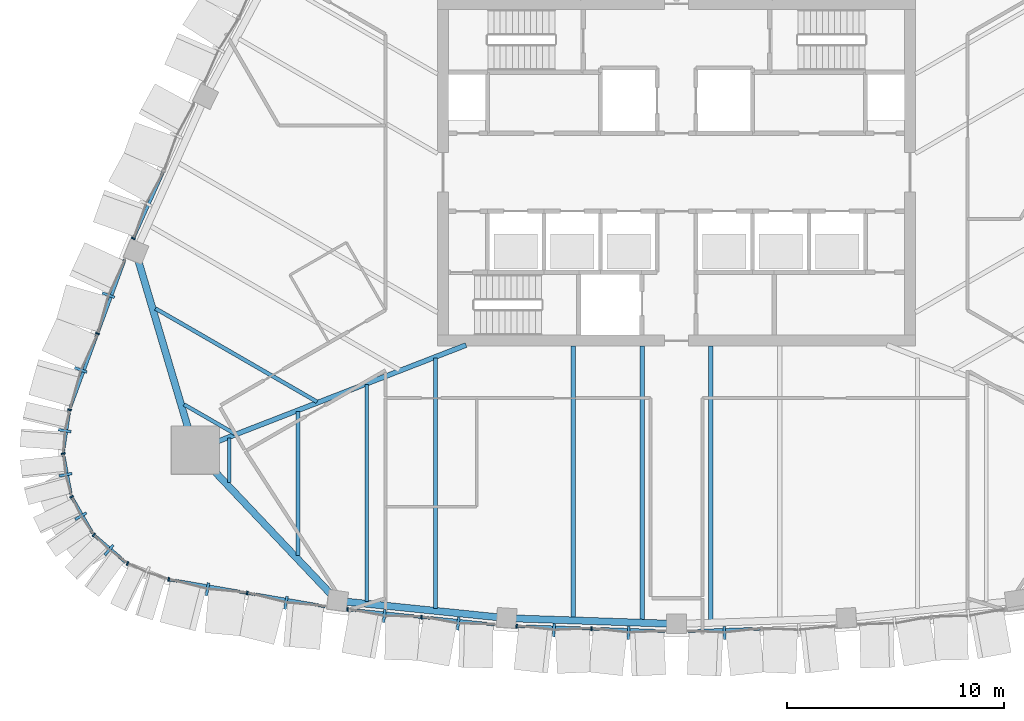
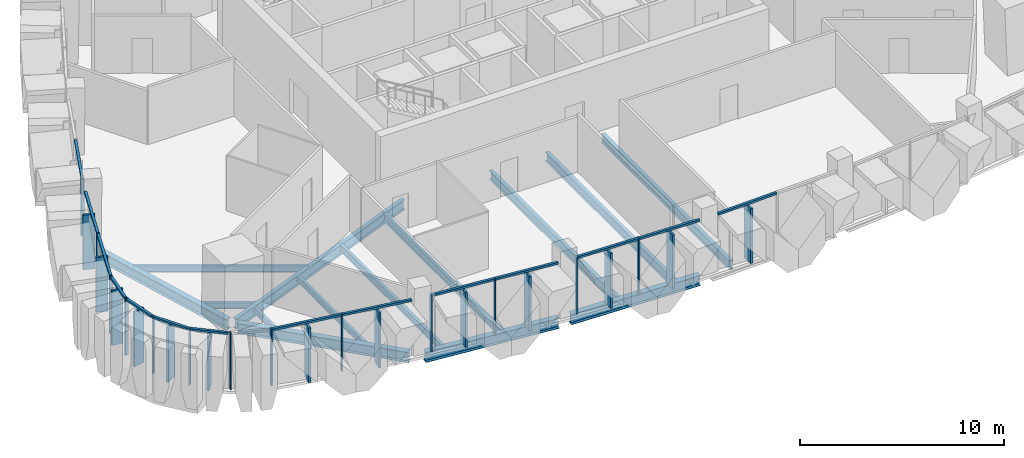
# One storey, part 2 of 19: 40 members, 14 beams, 11 elements without a shape of their own.
"""IFC4 building model written with IfcOpenShell, lengths in metres."""

from ifc_helpers import new_model, si_unit, direction, frame, origin, origin_2d, place, context, subcontext, project, spatial, rectangle, i_section, extrude, material, layer, layer_set, material_profile, profile_set, type_object, element, aggregate, save


model = new_model("IFC4")

# Units and contexts
model_context = context("Model", 3, precision=1e-05, world=origin(), true_north=direction((0.0, 1.0)))
body_context = subcontext(model_context, "Body", "Model", "MODEL_VIEW")
ifc_project = project(units=[si_unit("LENGTHUNIT", "METRE"), si_unit("AREAUNIT", "SQUARE_METRE"), si_unit("VOLUMEUNIT", "CUBIC_METRE"), si_unit("PLANEANGLEUNIT", "RADIAN"), si_unit("MASSUNIT", "GRAM", prefix="KILO")], contexts=[model_context])

# Site, building, storey
site_placement = place(None, origin())
site = spatial("IfcSite", under=ifc_project, at=site_placement, CompositionType="ELEMENT")
building_placement = place(site_placement, origin())
building = spatial("IfcBuilding", under=site, at=building_placement, Name="Sierra Prisma Convention Tower", CompositionType="ELEMENT")
storey_placement = place(building_placement, frame((0.0, 0.0, 235.0)))
storey = spatial("IfcBuildingStorey", under=building, at=storey_placement, Name="L52", CompositionType="ELEMENT", Elevation=235.0)

# Curtain wall, members
ifc_material_1 = material(Name="Aluminium and glass curtain wall", Category="aluminium")
ifc_layer = layer(ifc_material_1, 0.179931640625)
ifc_layer_set = layer_set([ifc_layer], Name="CW-2 Faceted crystal curtain wall")
curtain_wall_type = type_object("IfcCurtainWallType", Name="CW-2 Faceted crystal curtain wall", PredefinedType="NOTDEFINED", material=ifc_layer_set)
curtain_wall_1_placement = place(storey_placement, origin())
curtain_wall_1 = element("IfcCurtainWall", 1, at=curtain_wall_1_placement, inside=storey, type_object=curtain_wall_type, Name="CW-2 S1 L52", PredefinedType="NOTDEFINED")
ifc_material_2 = material(Name="Aluminium 6063-T6 bronze anodised", Category="aluminium")
ifc_material_profile_1 = material_profile(ifc_material_2, rectangle(XDim=0.1201171875, YDim=0.60009765625, at=origin_2d()), Name="ALU RIDGE BLADE 120x600")
ifc_profile_set_1 = profile_set([ifc_material_profile_1], Name="Aluminium 6063-T6 bronze anodised")
member_type_1 = type_object("IfcMemberType", Name="CW hip bronze", PredefinedType="MULLION", material=ifc_profile_set_1)
member_1_placement = place(storey_placement, frame((-21.594482421875, -19.20068359375, 0.0), z_axis=(0.0, 0.0, 1.0), x_axis=(0.985503501452, -0.169655087236, 0.0)))
member_1 = element("IfcMember", 2, at=member_1_placement, type_object=member_type_1, Name="CW-2 ridge S1.1", PredefinedType="MULLION", context=body_context, shape_type="SweptSolid", body=[
    extrude(rectangle(XDim=0.1201171875, YDim=0.60009765625, at=origin_2d()), origin(), (0.0, 0.0, 1.0), 3.280029296875),
])
member_2_placement = place(storey_placement, frame((-17.97900390625, -19.822998046875, 0.0), z_axis=(0.0, 0.0, 1.0), x_axis=(0.985503501452, -0.169655087236, 0.0)))
member_2 = element("IfcMember", 3, at=member_2_placement, type_object=member_type_1, Name="CW-2 ridge S1.2", PredefinedType="MULLION", context=body_context, shape_type="SweptSolid", body=[
    extrude(rectangle(XDim=0.1201171875, YDim=0.60009765625, at=origin_2d()), origin(), (0.0, 0.0, 1.0), 3.280029296875),
])

curtain_wall_2_placement = place(storey_placement, origin())
curtain_wall_2 = element("IfcCurtainWall", 4, at=curtain_wall_2_placement, inside=storey, type_object=curtain_wall_type, Name="CW-2 S2 L52", PredefinedType="NOTDEFINED")
member_3_placement = place(storey_placement, frame((-13.454345703125, -20.43701171875, 0.0), z_axis=(0.0, 0.0, 1.0), x_axis=(0.994773162307, -0.102109527247, 0.0)))
member_3 = element("IfcMember", 5, at=member_3_placement, type_object=member_type_1, Name="CW-2 ridge S2.1", PredefinedType="MULLION", context=body_context, shape_type="SweptSolid", body=[
    extrude(rectangle(XDim=0.1201171875, YDim=0.60009765625, at=origin_2d()), origin(), (0.0, 0.0, 1.0), 3.280029296875),
])
member_4_placement = place(storey_placement, frame((-10.05078125, -20.786376953125, 0.0), z_axis=(0.0, 0.0, 1.0), x_axis=(0.994773162307, -0.102109527247, 0.0)))
member_4 = element("IfcMember", 6, at=member_4_placement, type_object=member_type_1, Name="CW-2 ridge S2.2", PredefinedType="MULLION", context=body_context, shape_type="SweptSolid", body=[
    extrude(rectangle(XDim=0.1201171875, YDim=0.60009765625, at=origin_2d()), origin(), (0.0, 0.0, 1.0), 3.280029296875),
])

curtain_wall_3_placement = place(storey_placement, origin())
curtain_wall_3 = element("IfcCurtainWall", 7, at=curtain_wall_3_placement, inside=storey, type_object=curtain_wall_type, Name="CW-2 S3 L52", PredefinedType="NOTDEFINED")
member_5_placement = place(storey_placement, frame((-5.642578125, -21.087158203125, 0.0), z_axis=(0.0, 0.0, 1.0), x_axis=(0.999418789937, -0.034089328551, 0.0)))
member_5 = element("IfcMember", 8, at=member_5_placement, type_object=member_type_1, Name="CW-2 ridge S3.1", PredefinedType="MULLION", context=body_context, shape_type="SweptSolid", body=[
    extrude(rectangle(XDim=0.1201171875, YDim=0.60009765625, at=origin_2d()), origin(), (0.0, 0.0, 1.0), 3.280029296875),
])
member_6_placement = place(storey_placement, frame((-2.20703125, -21.204345703125, 0.0), z_axis=(0.0, 0.0, 1.0), x_axis=(0.999418789937, -0.034089328551, 0.0)))
member_6 = element("IfcMember", 9, at=member_6_placement, type_object=member_type_1, Name="CW-2 ridge S3.2", PredefinedType="MULLION", context=body_context, shape_type="SweptSolid", body=[
    extrude(rectangle(XDim=0.1201171875, YDim=0.60009765625, at=origin_2d()), origin(), (0.0, 0.0, 1.0), 3.280029296875),
])

# Curtain wall, member
curtain_wall_4_placement = place(storey_placement, origin())
curtain_wall_4 = element("IfcCurtainWall", 10, at=curtain_wall_4_placement, inside=storey, type_object=curtain_wall_type, Name="CW-2 S4 L52", PredefinedType="NOTDEFINED")
member_7_placement = place(storey_placement, frame((2.20703125, -21.204345703125, 0.0), z_axis=(0.0, 0.0, 1.0), x_axis=(0.999418789937, 0.034089328551, 0.0)))
member_7 = element("IfcMember", 11, at=member_7_placement, type_object=member_type_1, Name="CW-2 ridge S4.1", PredefinedType="MULLION", context=body_context, shape_type="SweptSolid", body=[
    extrude(rectangle(XDim=0.1201171875, YDim=0.60009765625, at=origin_2d()), origin(), (0.0, 0.0, 1.0), 3.280029296875),
])

# Curtain wall, members
curtain_wall_5_placement = place(storey_placement, origin())
curtain_wall_5 = element("IfcCurtainWall", 12, at=curtain_wall_5_placement, inside=storey, type_object=curtain_wall_type, Name="CW-2 NW6 L52", PredefinedType="NOTDEFINED")
member_8_placement = place(storey_placement, frame((-26.15673828125, -5.65869140625, 0.0), z_axis=(0.0, 0.0, 1.0), x_axis=(-0.345826135298, -0.938298611394, 0.0)))
member_8 = element("IfcMember", 13, at=member_8_placement, type_object=member_type_1, Name="CW-2 ridge NW6.1", PredefinedType="MULLION", context=body_context, shape_type="SweptSolid", body=[
    extrude(rectangle(XDim=0.1201171875, YDim=0.60009765625, at=origin_2d()), origin(), (0.0, 0.0, 1.0), 3.280029296875),
])
member_9_placement = place(storey_placement, frame((-27.425537109375, -9.10107421875, 0.0), z_axis=(0.0, 0.0, 1.0), x_axis=(-0.345826135298, -0.938298611394, 0.0)))
member_9 = element("IfcMember", 14, at=member_9_placement, type_object=member_type_1, Name="CW-2 ridge NW6.2", PredefinedType="MULLION", context=body_context, shape_type="SweptSolid", body=[
    extrude(rectangle(XDim=0.1201171875, YDim=0.60009765625, at=origin_2d()), origin(), (0.0, 0.0, 1.0), 3.280029296875),
])

# Curtain wall, member
curtain_wall_6_placement = place(storey_placement, origin())
curtain_wall_6 = element("IfcCurtainWall", 15, at=curtain_wall_6_placement, inside=storey, type_object=curtain_wall_type, Name="CW-2 SW1 L52", PredefinedType="NOTDEFINED")
member_10_placement = place(storey_placement, frame((-28.165283203125, -11.898681640625, 0.0), z_axis=(0.0, 0.0, 1.0), x_axis=(-0.149931293122, -0.98869641819, 0.0)))
member_10 = element("IfcMember", 16, at=member_10_placement, type_object=member_type_1, Name="CW-2 ridge SW1.1", PredefinedType="MULLION", context=body_context, shape_type="SweptSolid", body=[
    extrude(rectangle(XDim=0.1201171875, YDim=0.60009765625, at=origin_2d()), origin(), (0.0, 0.0, 1.0), 3.280029296875),
])

curtain_wall_7_placement = place(storey_placement, origin())
curtain_wall_7 = element("IfcCurtainWall", 17, at=curtain_wall_7_placement, inside=storey, type_object=curtain_wall_type, Name="CW-2 SW2 L52", PredefinedType="NOTDEFINED")
member_11_placement = place(storey_placement, frame((-28.128662109375, -13.9287109375, 0.0), z_axis=(0.0, 0.0, 1.0), x_axis=(0.185469860977, -0.982649953274, 0.0)))
member_11 = element("IfcMember", 18, at=member_11_placement, type_object=member_type_1, Name="CW-2 ridge SW2.1", PredefinedType="MULLION", context=body_context, shape_type="SweptSolid", body=[
    extrude(rectangle(XDim=0.1201171875, YDim=0.60009765625, at=origin_2d()), origin(), (0.0, 0.0, 1.0), 3.280029296875),
])

curtain_wall_8_placement = place(storey_placement, origin())
curtain_wall_8 = element("IfcCurtainWall", 19, at=curtain_wall_8_placement, inside=storey, type_object=curtain_wall_type, Name="CW-2 SW3 L52", PredefinedType="NOTDEFINED")
member_12_placement = place(storey_placement, frame((-27.4228515625, -15.83251953125, 0.0), z_axis=(0.0, 0.0, 1.0), x_axis=(0.5, -0.866025403784, 0.0)))
member_12 = element("IfcMember", 20, at=member_12_placement, type_object=member_type_1, Name="CW-2 ridge SW3.1", PredefinedType="MULLION", context=body_context, shape_type="SweptSolid", body=[
    extrude(rectangle(XDim=0.1201171875, YDim=0.60009765625, at=origin_2d()), origin(), (0.0, 0.0, 1.0), 3.280029296875),
])

curtain_wall_9_placement = place(storey_placement, origin())
curtain_wall_9 = element("IfcCurtainWall", 21, at=curtain_wall_9_placement, inside=storey, type_object=curtain_wall_type, Name="CW-2 SW4 L52", PredefinedType="NOTDEFINED")
member_13_placement = place(storey_placement, frame((-26.126953125, -17.395751953125, 0.0), z_axis=(0.0, 0.0, 1.0), x_axis=(0.758264892074, -0.651946587879, 0.0)))
member_13 = element("IfcMember", 22, at=member_13_placement, type_object=member_type_1, Name="CW-2 ridge SW4.1", PredefinedType="MULLION", context=body_context, shape_type="SweptSolid", body=[
    extrude(rectangle(XDim=0.1201171875, YDim=0.60009765625, at=origin_2d()), origin(), (0.0, 0.0, 1.0), 3.280029296875),
])

# Member
ifc_material_3 = material(Name="Aluminium 6063-T6 bronze anodised", Category="aluminium")
ifc_material_profile_2 = material_profile(ifc_material_3, rectangle(XDim=0.179931640625, YDim=0.070068359375, at=origin_2d()), Name="ALU MULLION 70x180")
ifc_profile_set_2 = profile_set([ifc_material_profile_2], Name="Aluminium 6063-T6 bronze anodised")
member_type_2 = type_object("IfcMemberType", Name="CW mullion bronze", PredefinedType="MULLION", material=ifc_profile_set_2)
member_14_placement = place(storey_placement, frame((-23.378173828125, -18.749755859375, 0.0), z_axis=(0.0, 0.0, 1.0), x_axis=(0.169655087236, 0.985503501452, 0.0)))
member_14 = element("IfcMember", 23, at=member_14_placement, type_object=member_type_2, Name="CW-1 mullion S1.1", PredefinedType="MULLION", context=body_context, shape_type="SweptSolid", body=[
    extrude(rectangle(XDim=0.179931640625, YDim=0.070068359375, at=origin_2d()), origin(), (0.0, 0.0, 1.0), 3.39990234375),
])

member_15_placement = place(storey_placement, frame((-19.7626953125, -19.372314453125, 0.0), z_axis=(0.0, 0.0, 1.0), x_axis=(0.169655087236, 0.985503501452, 0.0)))
member_15 = element("IfcMember", 24, at=member_15_placement, type_object=member_type_2, Name="CW-1 mullion S1.2", PredefinedType="MULLION", context=body_context, shape_type="SweptSolid", body=[
    extrude(rectangle(XDim=0.179931640625, YDim=0.070068359375, at=origin_2d()), origin(), (0.0, 0.0, 1.0), 3.39990234375),
])

member_16_placement = place(storey_placement, frame((-15.142822265625, -20.131103515625, 0.0), z_axis=(0.0, 0.0, 1.0), x_axis=(0.102109527247, 0.994773162307, 0.0)))
member_16 = element("IfcMember", 25, at=member_16_placement, type_object=member_type_2, Name="CW-1 mullion S2.1", PredefinedType="MULLION", context=body_context, shape_type="SweptSolid", body=[
    extrude(rectangle(XDim=0.179931640625, YDim=0.070068359375, at=origin_2d()), origin(), (0.0, 0.0, 1.0), 3.39990234375),
])

member_17_placement = place(storey_placement, frame((-11.739013671875, -20.48046875, 0.0), z_axis=(0.0, 0.0, 1.0), x_axis=(0.102109527247, 0.994773162307, 0.0)))
member_17 = element("IfcMember", 26, at=member_17_placement, type_object=member_type_2, Name="CW-1 mullion S2.2", PredefinedType="MULLION", context=body_context, shape_type="SweptSolid", body=[
    extrude(rectangle(XDim=0.179931640625, YDim=0.070068359375, at=origin_2d()), origin(), (0.0, 0.0, 1.0), 3.39990234375),
])

member_18_placement = place(storey_placement, frame((-7.35595703125, -20.896240234375, 0.0), z_axis=(0.0, 0.0, 1.0), x_axis=(0.034089328551, 0.999418789937, 0.0)))
member_18 = element("IfcMember", 27, at=member_18_placement, type_object=member_type_2, Name="CW-1 mullion S3.1", PredefinedType="MULLION", context=body_context, shape_type="SweptSolid", body=[
    extrude(rectangle(XDim=0.179931640625, YDim=0.070068359375, at=origin_2d()), origin(), (0.0, 0.0, 1.0), 3.39990234375),
])

member_19_placement = place(storey_placement, frame((-3.92041015625, -21.013427734375, 0.0), z_axis=(0.0, 0.0, 1.0), x_axis=(0.034089328551, 0.999418789937, 0.0)))
member_19 = element("IfcMember", 28, at=member_19_placement, type_object=member_type_2, Name="CW-1 mullion S3.2", PredefinedType="MULLION", context=body_context, shape_type="SweptSolid", body=[
    extrude(rectangle(XDim=0.179931640625, YDim=0.070068359375, at=origin_2d()), origin(), (0.0, 0.0, 1.0), 3.39990234375),
])

# Curtain wall, member
curtain_wall_10_placement = place(storey_placement, origin())
curtain_wall_10 = element("IfcCurtainWall", 29, at=curtain_wall_10_placement, inside=storey, type_object=curtain_wall_type, Name="CW-2 NW5 L52", PredefinedType="NOTDEFINED")
member_20_placement = place(storey_placement, frame((-25.00537109375, -3.048583984375, 0.0), z_axis=(0.0, 0.0, 1.0), x_axis=(0.912553593184, -0.408957136589, 0.0)))
member_20 = element("IfcMember", 30, at=member_20_placement, type_object=member_type_2, Name="CW-1 mullion NW5.3", PredefinedType="MULLION", context=body_context, shape_type="SweptSolid", body=[
    extrude(rectangle(XDim=0.179931640625, YDim=0.070068359375, at=origin_2d()), origin(), (0.0, 0.0, 1.0), 3.39990234375),
])

# Member
member_21_placement = place(storey_placement, frame((-26.658203125, -7.428955078125, 0.0), z_axis=(0.0, 0.0, 1.0), x_axis=(0.938298611394, -0.345826135298, 0.0)))
member_21 = element("IfcMember", 31, at=member_21_placement, type_object=member_type_2, Name="CW-1 mullion NW6.2", PredefinedType="MULLION", context=body_context, shape_type="SweptSolid", body=[
    extrude(rectangle(XDim=0.179931640625, YDim=0.070068359375, at=origin_2d()), origin(), (0.0, 0.0, 1.0), 3.39990234375),
])

member_22_placement = place(storey_placement, frame((-27.9443359375, -10.938720703125, 0.0), z_axis=(0.0, 0.0, 1.0), x_axis=(0.98869641819, -0.149931293122, 0.0)))
member_22 = element("IfcMember", 32, at=member_22_placement, type_object=member_type_2, Name="CW-1 mullion SW1.1", PredefinedType="MULLION", context=body_context, shape_type="SweptSolid", body=[
    extrude(rectangle(XDim=0.179931640625, YDim=0.070068359375, at=origin_2d()), origin(), (0.0, 0.0, 1.0), 3.39990234375),
])

member_23_placement = place(storey_placement, frame((-28.237548828125, -12.94970703125, 0.0), z_axis=(0.0, 0.0, 1.0), x_axis=(0.982649953274, 0.185469860977, 0.0)))
member_23 = element("IfcMember", 33, at=member_23_placement, type_object=member_type_2, Name="CW-1 mullion SW2.1", PredefinedType="MULLION", context=body_context, shape_type="SweptSolid", body=[
    extrude(rectangle(XDim=0.179931640625, YDim=0.070068359375, at=origin_2d()), origin(), (0.0, 0.0, 1.0), 3.39990234375),
])

member_24_placement = place(storey_placement, frame((-27.849365234375, -14.94482421875, 0.0), z_axis=(0.0, 0.0, 1.0), x_axis=(0.866025403784, 0.5, 0.0)))
member_24 = element("IfcMember", 34, at=member_24_placement, type_object=member_type_2, Name="CW-1 mullion SW3.1", PredefinedType="MULLION", context=body_context, shape_type="SweptSolid", body=[
    extrude(rectangle(XDim=0.179931640625, YDim=0.070068359375, at=origin_2d()), origin(), (0.0, 0.0, 1.0), 3.39990234375),
])

member_25_placement = place(storey_placement, frame((-26.822998046875, -16.698974609375, 0.0), z_axis=(0.0, 0.0, 1.0), x_axis=(0.651946587879, 0.758264892074, 0.0)))
member_25 = element("IfcMember", 35, at=member_25_placement, type_object=member_type_2, Name="CW-1 mullion SW4.1", PredefinedType="MULLION", context=body_context, shape_type="SweptSolid", body=[
    extrude(rectangle(XDim=0.179931640625, YDim=0.070068359375, at=origin_2d()), origin(), (0.0, 0.0, 1.0), 3.39990234375),
])

# Curtain wall, member
curtain_wall_11_placement = place(storey_placement, origin())
curtain_wall_11 = element("IfcCurtainWall", 36, at=curtain_wall_11_placement, inside=storey, type_object=curtain_wall_type, Name="CW-2 SW5 L52", PredefinedType="NOTDEFINED")
member_26_placement = place(storey_placement, frame((-25.2744140625, -18.01513671875, 0.0), z_axis=(0.0, 0.0, 1.0), x_axis=(0.364503900429, 0.931201861345, 0.0)))
member_26 = element("IfcMember", 37, at=member_26_placement, type_object=member_type_2, Name="CW-1 mullion SW5.1", PredefinedType="MULLION", context=body_context, shape_type="SweptSolid", body=[
    extrude(rectangle(XDim=0.179931640625, YDim=0.070068359375, at=origin_2d()), origin(), (0.0, 0.0, 1.0), 3.39990234375),
])
aggregate(curtain_wall_11, [member_26])

# Member
ifc_material_4 = material(Name="Aluminium 6063-T6 bronze anodised", Category="aluminium")
ifc_material_profile_3 = material_profile(ifc_material_4, rectangle(XDim=0.139892578125, YDim=0.1201171875, at=origin_2d()), Name="ALU TRANSOM 120x140")
ifc_profile_set_3 = profile_set([ifc_material_profile_3], Name="Aluminium 6063-T6 bronze anodised")
member_type_3 = type_object("IfcMemberType", Name="CW transom bronze", PredefinedType="USERDEFINED", material=ifc_profile_set_3)
member_27_placement = place(storey_placement, frame((-23.34375, -18.755859375, 3.340087890625), z_axis=(0.985512945687, -0.169600217816, 0.0), x_axis=(0.169600217816, 0.985512945687, 0.0)))
member_27 = element("IfcMember", 38, at=member_27_placement, type_object=member_type_3, Name="CW-1 transom S1.1", ObjectType="TRANSOM", PredefinedType="USERDEFINED", context=body_context, shape_type="SweptSolid", body=[
    extrude(rectangle(XDim=0.139892578125, YDim=0.1201171875, at=origin_2d()), origin(), (0.0, 0.0, 1.0), 3.598876953125),
])

member_28_placement = place(storey_placement, frame((-19.728271484375, -19.378173828125, 3.340087890625), z_axis=(0.985501604605, -0.169666105398, 0.0), x_axis=(0.169666105398, 0.985501604605, 0.0)))
member_28 = element("IfcMember", 39, at=member_28_placement, type_object=member_type_3, Name="CW-1 transom S1.2", ObjectType="TRANSOM", PredefinedType="USERDEFINED", context=body_context, shape_type="SweptSolid", body=[
    extrude(rectangle(XDim=0.139892578125, YDim=0.1201171875, at=origin_2d()), origin(), (0.0, 0.0, 1.0), 3.598876953125),
])

aggregate(curtain_wall_1, [member_14, member_15, member_27, member_1, member_28, member_2])

member_29_placement = place(storey_placement, frame((-15.108154296875, -20.134521484375, 3.340087890625), z_axis=(0.994771956152, -0.102121277186, 0.0), x_axis=(0.102121277186, 0.994771956152, 0.0)))
member_29 = element("IfcMember", 40, at=member_29_placement, type_object=member_type_3, Name="CW-1 transom S2.1", ObjectType="TRANSOM", PredefinedType="USERDEFINED", context=body_context, shape_type="SweptSolid", body=[
    extrude(rectangle(XDim=0.139892578125, YDim=0.1201171875, at=origin_2d()), origin(), (0.0, 0.0, 1.0), 3.351806640625),
])

member_30_placement = place(storey_placement, frame((-11.704345703125, -20.48388671875, 3.340087890625), z_axis=(0.994771956152, -0.102121277186, 0.0), x_axis=(0.102121277186, 0.994771956152, 0.0)))
member_30 = element("IfcMember", 41, at=member_30_placement, type_object=member_type_3, Name="CW-1 transom S2.2", ObjectType="TRANSOM", PredefinedType="USERDEFINED", context=body_context, shape_type="SweptSolid", body=[
    extrude(rectangle(XDim=0.139892578125, YDim=0.1201171875, at=origin_2d()), origin(), (0.0, 0.0, 1.0), 3.351806640625),
])

aggregate(curtain_wall_2, [member_16, member_17, member_29, member_3, member_30, member_4])

member_31_placement = place(storey_placement, frame((-7.32080078125, -20.8974609375, 3.340087890625), z_axis=(0.999419270698, -0.034075230847, 0.0), x_axis=(0.034075230847, 0.999419270698, 0.0)))
member_31 = element("IfcMember", 42, at=member_31_placement, type_object=member_type_3, Name="CW-1 transom S3.1", ObjectType="TRANSOM", PredefinedType="USERDEFINED", context=body_context, shape_type="SweptSolid", body=[
    extrude(rectangle(XDim=0.139892578125, YDim=0.1201171875, at=origin_2d()), origin(), (0.0, 0.0, 1.0), 3.367431640625),
])

member_32_placement = place(storey_placement, frame((-3.88525390625, -21.0146484375, 3.340087890625), z_axis=(0.999419270698, -0.034075230847, 0.0), x_axis=(0.034075230847, 0.999419270698, 0.0)))
member_32 = element("IfcMember", 43, at=member_32_placement, type_object=member_type_3, Name="CW-1 transom S3.2", ObjectType="TRANSOM", PredefinedType="USERDEFINED", context=body_context, shape_type="SweptSolid", body=[
    extrude(rectangle(XDim=0.139892578125, YDim=0.1201171875, at=origin_2d()), origin(), (0.0, 0.0, 1.0), 3.367431640625),
])

aggregate(curtain_wall_3, [member_18, member_19, member_31, member_5, member_32, member_6])

member_33_placement = place(storey_placement, frame((0.519775390625, -21.12939453125, 3.340087890625), z_axis=(0.999419270698, 0.034075230847, 0.0), x_axis=(-0.034075230847, 0.999419270698, 0.0)))
member_33 = element("IfcMember", 44, at=member_33_placement, type_object=member_type_3, Name="CW-1 transom S4.1", ObjectType="TRANSOM", PredefinedType="USERDEFINED", context=body_context, shape_type="SweptSolid", body=[
    extrude(rectangle(XDim=0.139892578125, YDim=0.1201171875, at=origin_2d()), origin(), (0.0, 0.0, 1.0), 3.367431640625),
])

aggregate(curtain_wall_4, [member_33, member_7])

member_34_placement = place(storey_placement, frame((-23.620361328125, 0.0419921875, 3.340087890625), z_axis=(-0.408934593423, -0.912563695477, 0.0), x_axis=(0.912563695477, -0.408934593423, 0.0)))
member_34 = element("IfcMember", 45, at=member_34_placement, type_object=member_type_3, Name="CW-1 transom NW5.2", ObjectType="TRANSOM", PredefinedType="USERDEFINED", context=body_context, shape_type="SweptSolid", body=[
    extrude(rectangle(XDim=0.139892578125, YDim=0.1201171875, at=origin_2d()), origin(), (0.0, 0.0, 1.0), 3.3515625),
])

aggregate(curtain_wall_10, [member_20, member_34])

member_35_placement = place(storey_placement, frame((-25.401611328125, -4.019287109375, 3.340087890625), z_axis=(-0.345846825507, -0.938290985402, 0.0), x_axis=(0.938290985402, -0.345846825507, 0.0)))
member_35 = element("IfcMember", 46, at=member_35_placement, type_object=member_type_3, Name="CW-1 transom NW6.1", ObjectType="TRANSOM", PredefinedType="USERDEFINED", context=body_context, shape_type="SweptSolid", body=[
    extrude(rectangle(XDim=0.139892578125, YDim=0.1201171875, at=origin_2d()), origin(), (0.0, 0.0, 1.0), 3.598876953125),
])

member_36_placement = place(storey_placement, frame((-26.67041015625, -7.461669921875, 3.340087890625), z_axis=(-0.345787098007, -0.938312998339, 0.0), x_axis=(0.938312998339, -0.345787098007, 0.0)))
member_36 = element("IfcMember", 47, at=member_36_placement, type_object=member_type_3, Name="CW-1 transom NW6.2", ObjectType="TRANSOM", PredefinedType="USERDEFINED", context=body_context, shape_type="SweptSolid", body=[
    extrude(rectangle(XDim=0.139892578125, YDim=0.1201171875, at=origin_2d()), origin(), (0.0, 0.0, 1.0), 3.5986328125),
])

aggregate(curtain_wall_5, [member_21, member_35, member_8, member_36, member_9])

member_37_placement = place(storey_placement, frame((-27.949462890625, -10.973388671875, 3.340087890625), z_axis=(-0.150023000643, -0.988682506813, 0.0), x_axis=(0.988682506813, -0.150023000643, 0.0)))
member_37 = element("IfcMember", 48, at=member_37_placement, type_object=member_type_3, Name="CW-1 transom SW1.1", ObjectType="TRANSOM", PredefinedType="USERDEFINED", context=body_context, shape_type="SweptSolid", body=[
    extrude(rectangle(XDim=0.139892578125, YDim=0.1201171875, at=origin_2d()), origin(), (0.0, 0.0, 1.0), 1.894287109375),
])

aggregate(curtain_wall_6, [member_22, member_37, member_10])

member_38_placement = place(storey_placement, frame((-28.231201171875, -12.984130859375, 3.340087890625), z_axis=(0.185447774575, -0.982654121706, 0.0), x_axis=(0.982654121706, 0.185447774575, 0.0)))
member_38 = element("IfcMember", 49, at=member_38_placement, type_object=member_type_3, Name="CW-1 transom SW2.1", ObjectType="TRANSOM", PredefinedType="USERDEFINED", context=body_context, shape_type="SweptSolid", body=[
    extrude(rectangle(XDim=0.139892578125, YDim=0.1201171875, at=origin_2d()), origin(), (0.0, 0.0, 1.0), 1.89453125),
])

aggregate(curtain_wall_7, [member_23, member_38, member_11])

member_39_placement = place(storey_placement, frame((-27.831787109375, -14.97509765625, 3.340087890625), z_axis=(0.500075738423, -0.865981671769, 0.0), x_axis=(0.865981671769, 0.500075738423, 0.0)))
member_39 = element("IfcMember", 50, at=member_39_placement, type_object=member_type_3, Name="CW-1 transom SW3.1", ObjectType="TRANSOM", PredefinedType="USERDEFINED", context=body_context, shape_type="SweptSolid", body=[
    extrude(rectangle(XDim=0.139892578125, YDim=0.1201171875, at=origin_2d()), origin(), (0.0, 0.0, 1.0), 1.894287109375),
])

aggregate(curtain_wall_8, [member_24, member_39, member_12])

member_40_placement = place(storey_placement, frame((-26.796630859375, -16.7216796875, 3.340087890625), z_axis=(0.758264189206, -0.651947405369, 0.0), x_axis=(0.651947405369, 0.758264189206, 0.0)))
member_40 = element("IfcMember", 51, at=member_40_placement, type_object=member_type_3, Name="CW-1 transom SW4.1", ObjectType="TRANSOM", PredefinedType="USERDEFINED", context=body_context, shape_type="SweptSolid", body=[
    extrude(rectangle(XDim=0.139892578125, YDim=0.1201171875, at=origin_2d()), origin(), (0.0, 0.0, 1.0), 1.89453125),
])

aggregate(curtain_wall_9, [member_25, member_40, member_13])

# Beams
ifc_material_5 = material(Name="Steel ASTM A992 Gr 50", Category="steel")
ifc_material_profile_4 = material_profile(ifc_material_5, i_section(OverallWidth=0.172119140625, OverallDepth=0.35791015625, WebThickness=0.0078125, FlangeThickness=0.01318359375, at=origin_2d()), Name="W360x57")
ifc_profile_set_4 = profile_set([ifc_material_profile_4], Name="Steel ASTM A992 Gr 50")
beam_type_1 = type_object("IfcBeamType", Name="Floor joist W360x57", PredefinedType="JOIST", material=ifc_profile_set_4)
beam_1_placement = place(storey_placement, frame((-20.596435546875, -14.292236328125, -0.3291015625), z_axis=(0.0, 1.0, 0.0), x_axis=(-1.0, 0.0, 0.0)))
element("IfcBeam", 52, at=beam_1_placement, inside=storey, type_object=beam_type_1, Name="Floor joist L52 S01", PredefinedType="JOIST", context=body_context, shape_type="SweptSolid", body=[
    extrude(i_section(OverallWidth=0.172119140625, OverallDepth=0.35791015625, WebThickness=0.0078125, FlangeThickness=0.01318359375, at=origin_2d()), origin(), (0.0, 0.0, 1.0), 2.0517578125),
])
beam_2_placement = place(storey_placement, frame((-17.427734375, -17.63720703125, -0.3291015625), z_axis=(0.0, 1.0, 0.0), x_axis=(-1.0, 0.0, 0.0)))
element("IfcBeam", 53, at=beam_2_placement, inside=storey, type_object=beam_type_1, Name="Floor joist L52 S02", PredefinedType="JOIST", context=body_context, shape_type="SweptSolid", body=[
    extrude(i_section(OverallWidth=0.172119140625, OverallDepth=0.35791015625, WebThickness=0.0078125, FlangeThickness=0.01318359375, at=origin_2d()), origin(), (0.0, 0.0, 1.0), 6.626953125),
])
beam_3_placement = place(storey_placement, frame((-22.67578125, -10.69091796875, -0.3291015625), z_axis=(0.866042559446, -0.499970284345, 0.0), x_axis=(0.499970284345, 0.866042559446, 0.0)))
element("IfcBeam", 54, at=beam_3_placement, inside=storey, type_object=beam_type_1, Name="Floor joist L52 NW14", PredefinedType="JOIST", context=body_context, shape_type="SweptSolid", body=[
    extrude(i_section(OverallWidth=0.172119140625, OverallDepth=0.35791015625, WebThickness=0.0078125, FlangeThickness=0.01318359375, at=origin_2d()), origin(), (0.0, 0.0, 1.0), 2.700439453125),
])
ifc_material_6 = material(Name="Steel ASTM A992 Gr 50", Category="steel")
ifc_material_profile_5 = material_profile(ifc_material_6, i_section(OverallWidth=0.177978515625, OverallDepth=0.406982421875, WebThickness=0.0078125, FlangeThickness=0.0126953125, at=origin_2d()), Name="W410x60")
ifc_profile_set_5 = profile_set([ifc_material_profile_5], Name="Steel ASTM A992 Gr 50")
beam_type_2 = type_object("IfcBeamType", Name="Floor joist W410x60", PredefinedType="JOIST", material=ifc_profile_set_5)
beam_4_placement = place(storey_placement, frame((-14.259033203125, -19.756591796875, -0.353515625), z_axis=(0.0, 1.0, 0.0), x_axis=(-1.0, 0.0, 0.0)))
element("IfcBeam", 55, at=beam_4_placement, inside=storey, type_object=beam_type_2, Name="Floor joist L52 S03", PredefinedType="JOIST", context=body_context, shape_type="SweptSolid", body=[
    extrude(i_section(OverallWidth=0.177978515625, OverallDepth=0.406982421875, WebThickness=0.0078125, FlangeThickness=0.0126953125, at=origin_2d()), origin(), (0.0, 0.0, 1.0), 9.976318359375),
])
beam_5_placement = place(storey_placement, frame((-23.98828125, -6.274169921875, -0.353515625), z_axis=(0.866024224461, -0.500002042643, 0.0), x_axis=(0.500002042643, 0.866024224461, 0.0)))
element("IfcBeam", 56, at=beam_5_placement, inside=storey, type_object=beam_type_2, Name="Floor joist L52 NW13", PredefinedType="JOIST", context=body_context, shape_type="SweptSolid", body=[
    extrude(i_section(OverallWidth=0.177978515625, OverallDepth=0.406982421875, WebThickness=0.0078125, FlangeThickness=0.0126953125, at=origin_2d()), origin(), (0.0, 0.0, 1.0), 8.591796875),
])
ifc_material_7 = material(Name="Steel ASTM A992 Gr 50", Category="steel")
ifc_material_profile_6 = material_profile(ifc_material_7, i_section(OverallWidth=0.18994140625, OverallDepth=0.45703125, WebThickness=0.009033203125, FlangeThickness=0.014404296875, at=origin_2d()), Name="W460x74")
ifc_profile_set_6 = profile_set([ifc_material_profile_6], Name="Steel ASTM A992 Gr 50")
beam_type_3 = type_object("IfcBeamType", Name="Floor joist W460x74", PredefinedType="JOIST", material=ifc_profile_set_6)
beam_6_placement = place(storey_placement, frame((-11.09033203125, -20.08203125, -0.37841796875), z_axis=(0.0, 1.0, 0.0), x_axis=(-1.0, 0.0, 0.0)))
element("IfcBeam", 57, at=beam_6_placement, inside=storey, type_object=beam_type_3, Name="Floor joist L52 S04", PredefinedType="JOIST", context=body_context, shape_type="SweptSolid", body=[
    extrude(i_section(OverallWidth=0.18994140625, OverallDepth=0.45703125, WebThickness=0.009033203125, FlangeThickness=0.014404296875, at=origin_2d()), origin(), (0.0, 0.0, 1.0), 11.53173828125),
])
ifc_material_8 = material(Name="Steel ASTM A992 Gr 50", Category="steel")
ifc_material_profile_7 = material_profile(ifc_material_8, i_section(OverallWidth=0.208984375, OverallDepth=0.532958984375, WebThickness=0.01025390625, FlangeThickness=0.015625, at=origin_2d()), Name="W530x92")
ifc_profile_set_7 = profile_set([ifc_material_profile_7], Name="Steel ASTM A992 Gr 50")
beam_type_4 = type_object("IfcBeamType", Name="Floor joist W530x92", PredefinedType="JOIST", material=ifc_profile_set_7)
beam_7_placement = place(storey_placement, frame((-4.7529296875, -20.5224609375, -0.41650390625), z_axis=(0.0, 1.0, 0.0), x_axis=(-1.0, 0.0, 0.0)))
element("IfcBeam", 58, at=beam_7_placement, inside=storey, type_object=beam_type_4, Name="Floor joist L52 S06", PredefinedType="JOIST", context=body_context, shape_type="SweptSolid", body=[
    extrude(i_section(OverallWidth=0.208984375, OverallDepth=0.532958984375, WebThickness=0.01025390625, FlangeThickness=0.015625, at=origin_2d()), origin(), (0.0, 0.0, 1.0), 12.5224609375),
])
for number, where, z_axis, x_axis, name in (
    (59, (-1.584228515625, -20.63037109375, -0.41650390625), (0.0, 1.0, 0.0), (-1.0, 0.0, 0.0), "Floor joist L52 S07"),
    (60, (1.584228515625, -20.63037109375, -0.41650390625), (0.0, 1.0, 0.0), (-1.0, 0.0, 0.0), "Floor joist L52 S08"),
):
    element("IfcBeam", number, at=place(storey_placement, frame(where, z_axis=z_axis, x_axis=x_axis)), inside=storey, type_object=beam_type_4, Name=name, PredefinedType="JOIST", context=body_context, shape_type="SweptSolid", body=[
        extrude(i_section(OverallWidth=0.208984375, OverallDepth=0.532958984375, WebThickness=0.01025390625, FlangeThickness=0.015625, at=origin_2d()), origin(), (0.0, 0.0, 1.0), 12.63037109375),
    ])
ifc_material_9 = material(Name="Steel ASTM A992 Gr 50", Category="steel")
ifc_material_profile_8 = material_profile(ifc_material_9, i_section(OverallWidth=0.22998046875, OverallDepth=0.616943359375, WebThickness=0.01318359375, FlangeThickness=0.022216796875, at=origin_2d()), Name="W610x140")
ifc_profile_set_8 = profile_set([ifc_material_profile_8], Name="Steel ASTM A992 Gr 50")
beam_type_5 = type_object("IfcBeamType", Name="Radial girder W610x140", PredefinedType="BEAM", material=ifc_profile_set_8)
beam_8_placement = place(storey_placement, frame((-21.960693359375, -12.720703125, -0.45849609375), z_axis=(0.932221675017, 0.361887756948, 0.0), x_axis=(-0.361887756948, 0.932221675017, 0.0)))
element("IfcBeam", 61, at=beam_8_placement, inside=storey, type_object=beam_type_5, Name="Radial girder L52 SW", PredefinedType="BEAM", context=body_context, shape_type="SweptSolid", body=[
    extrude(i_section(OverallWidth=0.22998046875, OverallDepth=0.616943359375, WebThickness=0.01318359375, FlangeThickness=0.022216796875, at=origin_2d()), origin(), (0.0, 0.0, 1.0), 13.164794921875),
])
ifc_material_10 = material(Name="Steel ASTM A992 Gr 50", Category="steel")
ifc_material_profile_9 = material_profile(ifc_material_10, i_section(OverallWidth=0.324951171875, OverallDepth=0.615966796875, WebThickness=0.013916015625, FlangeThickness=0.021484375, at=origin_2d()), Name="W610x174")
ifc_profile_set_9 = profile_set([ifc_material_profile_9], Name="Steel ASTM A992 Gr 50")
beam_type_6 = type_object("IfcBeamType", Name="Spandrel beam W610x174", PredefinedType="BEAM", material=ifc_profile_set_9)
beam_9_placement = place(storey_placement, frame((-21.972412109375, -13.026123046875, -0.4580078125), z_axis=(0.687726132166, -0.725970224689, 0.0), x_axis=(0.725970224689, 0.687726132166, 0.0)))
element("IfcBeam", 62, at=beam_9_placement, inside=storey, type_object=beam_type_6, Name="Spandrel L52-01", PredefinedType="BEAM", context=body_context, shape_type="SweptSolid", body=[
    extrude(i_section(OverallWidth=0.324951171875, OverallDepth=0.615966796875, WebThickness=0.013916015625, FlangeThickness=0.021484375, at=origin_2d()), origin(), (0.0, 0.0, 1.0), 8.777587890625),
])
for number, where, z_axis, x_axis, name in (
    (63, (-15.29296875, -19.763916015625, -0.4580078125), (0.99477328626, -0.102108319663, 0.0), (0.102108319663, 0.99477328626, 0.0), "Spandrel L52-02"),
    (64, (-7.4990234375, -20.541259765625, -0.4580078125), (0.999418304175, -0.034103566979, 0.0), (0.034103566979, 0.999418304175, 0.0), "Spandrel L52-03"),
):
    element("IfcBeam", number, at=place(storey_placement, frame(where, z_axis=z_axis, x_axis=x_axis)), inside=storey, type_object=beam_type_6, Name=name, PredefinedType="BEAM", context=body_context, shape_type="SweptSolid", body=[
        extrude(i_section(OverallWidth=0.324951171875, OverallDepth=0.615966796875, WebThickness=0.013916015625, FlangeThickness=0.021484375, at=origin_2d()), origin(), (0.0, 0.0, 1.0), 7.173095703125),
    ])
beam_10_placement = place(storey_placement, frame((-24.767578125, -4.1015625, -0.4580078125), z_axis=(0.284869582006, -0.958566284222, 0.0), x_axis=(0.958566284222, 0.284869582006, 0.0)))
element("IfcBeam", 65, at=beam_10_placement, inside=storey, type_object=beam_type_6, Name="Spandrel L52-18", PredefinedType="BEAM", context=body_context, shape_type="SweptSolid", body=[
    extrude(i_section(OverallWidth=0.324951171875, OverallDepth=0.615966796875, WebThickness=0.013916015625, FlangeThickness=0.021484375, at=origin_2d()), origin(), (0.0, 0.0, 1.0), 8.851318359375),
])

save(model, "model.ifc")
